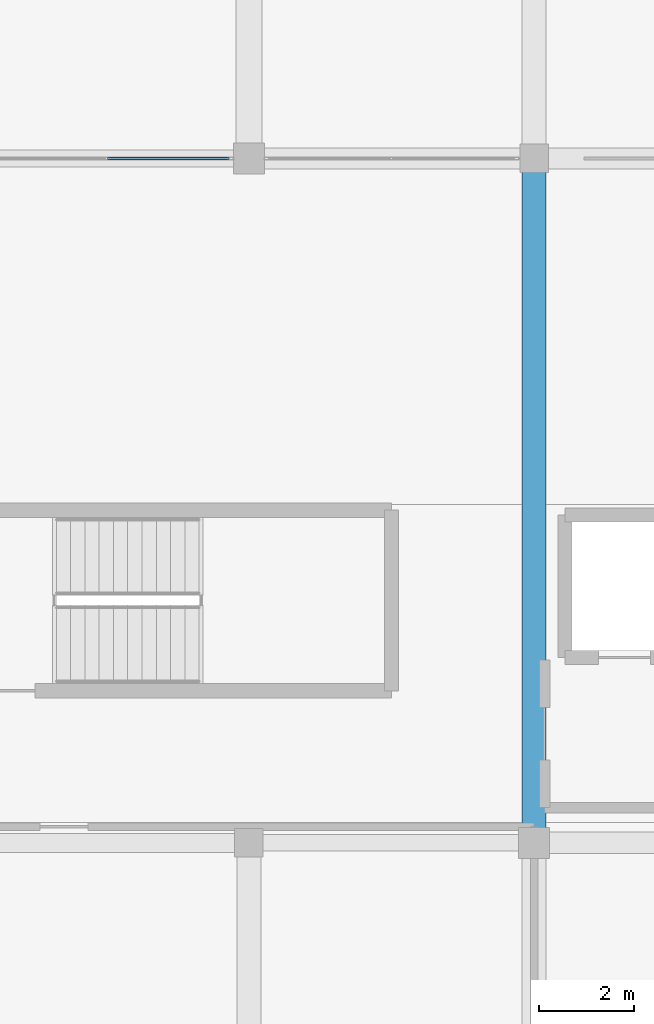
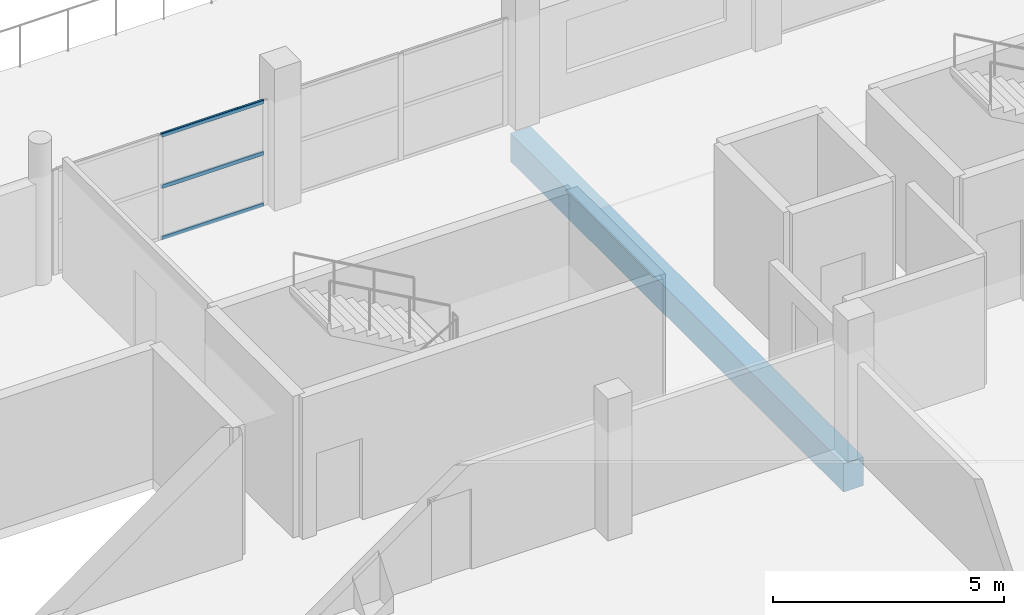
# One storey, part 3 of 19: 3 members, 1 beam, 1 element without a shape of its own.
"""IFC4 building model written with IfcOpenShell, lengths in metres."""

from ifc_helpers import new_model, si_unit, direction, frame, origin, origin_2d, place, context, subcontext, project, spatial, rectangle, hollow_rectangle, extrude, material, layer, layer_set, material_profile, profile_set, type_object, element, aggregate, save


model = new_model("IFC4")

# Units and contexts
model_context = context("Model", 3, precision=1e-05, world=origin(), true_north=direction((0.0, 1.0)))
body_context = subcontext(model_context, "Body", "Model", "MODEL_VIEW")
ifc_project = project(units=[si_unit("LENGTHUNIT", "METRE"), si_unit("AREAUNIT", "SQUARE_METRE"), si_unit("VOLUMEUNIT", "CUBIC_METRE"), si_unit("PLANEANGLEUNIT", "RADIAN"), si_unit("MASSUNIT", "GRAM", prefix="KILO")], contexts=[model_context])

# Site, building, storey
site_placement = place(None, origin())
site = spatial("IfcSite", under=ifc_project, at=site_placement, CompositionType="ELEMENT")
building_placement = place(site_placement, origin())
building = spatial("IfcBuilding", under=site, at=building_placement, Name="Dunvalen Ferry Terminal", CompositionType="ELEMENT")
storey_placement = place(building_placement, frame((0.0, 0.0, 13.580078125)))
storey = spatial("IfcBuildingStorey", under=building, at=storey_placement, Name="L03", CompositionType="ELEMENT", Elevation=13.580078125)

# Curtain wall, members
ifc_material_1 = material(Name="Anodised marine aluminium and solar-control glazing", Category="aluminium")
ifc_layer = layer(ifc_material_1, 0.14990234375, Name="Anodised marine aluminium and solar-control glazing")
ifc_layer_set = layer_set([ifc_layer], Name="Anodised marine aluminium and solar-control glazing")
curtain_wall_type = type_object("IfcCurtainWallType", Name="ENV-CW-SYS-11", PredefinedType="NOTDEFINED", material=ifc_layer_set)
curtain_wall_placement = place(storey_placement, origin())
curtain_wall = element("IfcCurtainWall", 1, at=curtain_wall_placement, inside=storey, type_object=curtain_wall_type, Name="L03 Curtain Wall CW-V5CORE-L03-7-5", PredefinedType="NOTDEFINED")
ifc_material_2 = material(Name="Anodised marine aluminium EN AW-6063 T6", Category="aluminium")
ifc_material_profile_1 = material_profile(ifc_material_2, hollow_rectangle(XDim=0.054931640625, YDim=0.10009765625, WallThickness=0.0029296875, InnerFilletRadius=0.0029296875, OuterFilletRadius=0.006103515625, at=origin_2d()), Name="Anodised marine aluminium EN AW-6063 T6")
ifc_profile_set_1 = profile_set([ifc_material_profile_1], Name="Anodised marine aluminium EN AW-6063 T6")
member_type = type_object("IfcMemberType", Name="ENV-CW-TRN-4", PredefinedType="USERDEFINED", material=ifc_profile_set_1)
member_1_placement = place(storey_placement, frame((29.5849609375, 28.800048828125, 0.02734375), z_axis=(-1.0, 0.0, 0.0), x_axis=(0.0, -1.0, 0.0)))
member_1 = element("IfcMember", 2, at=member_1_placement, type_object=member_type, Name="CW-11 transom 1.1", ObjectType="TRANSOM", PredefinedType="USERDEFINED", context=body_context, shape_type="SweptSolid", body=[
    extrude(hollow_rectangle(XDim=0.054931640625, YDim=0.10009765625, WallThickness=0.0029296875, InnerFilletRadius=0.0029296875, OuterFilletRadius=0.006103515625, at=origin_2d()), origin(), (0.0, 0.0, 1.0), 2.557373046875),
])
member_2_placement = place(storey_placement, frame((29.5849609375, 28.800048828125, 1.385009765625), z_axis=(-1.0, 0.0, 0.0), x_axis=(0.0, -1.0, 0.0)))
member_2 = element("IfcMember", 3, at=member_2_placement, type_object=member_type, Name="CW-11 transom 1.2", ObjectType="TRANSOM", PredefinedType="USERDEFINED", context=body_context, shape_type="SweptSolid", body=[
    extrude(hollow_rectangle(XDim=0.054931640625, YDim=0.10009765625, WallThickness=0.0029296875, InnerFilletRadius=0.0029296875, OuterFilletRadius=0.006103515625, at=origin_2d()), origin(), (0.0, 0.0, 1.0), 2.557373046875),
])
member_3_placement = place(storey_placement, frame((29.5849609375, 28.800048828125, 2.742431640625), z_axis=(-1.0, 0.0, 0.0), x_axis=(0.0, -1.0, 0.0)))
member_3 = element("IfcMember", 4, at=member_3_placement, type_object=member_type, Name="CW-11 transom 1.3", ObjectType="TRANSOM", PredefinedType="USERDEFINED", context=body_context, shape_type="SweptSolid", body=[
    extrude(hollow_rectangle(XDim=0.054931640625, YDim=0.10009765625, WallThickness=0.0029296875, InnerFilletRadius=0.0029296875, OuterFilletRadius=0.006103515625, at=origin_2d()), origin(), (0.0, 0.0, 1.0), 2.557373046875),
])
aggregate(curtain_wall, [member_1, member_2, member_3])

# Beam
ifc_material_3 = material(Name="Concrete C40/50", Category="concrete")
ifc_material_profile_2 = material_profile(ifc_material_3, rectangle(XDim=0.5, YDim=0.75, at=origin_2d()), Name="Concrete C40/50")
ifc_profile_set_2 = profile_set([ifc_material_profile_2], Name="Concrete C40/50")
beam_type = type_object("IfcBeamType", Name="STR-BM-RCB750", PredefinedType="BEAM", material=ifc_profile_set_2)
beam_placement = place(storey_placement, frame((36.0, 14.39990234375, -0.635009765625), z_axis=(0.0, 1.0, 0.0), x_axis=(-1.0, 0.0, 0.0)))
element("IfcBeam", 5, at=beam_placement, inside=storey, type_object=beam_type, Name="L03 V5P0 Primary Girder Y-041", PredefinedType="BEAM", context=body_context, shape_type="SweptSolid", body=[
    extrude(rectangle(XDim=0.5, YDim=0.75, at=origin_2d()), origin(), (0.0, 0.0, 1.0), 14.400146484375),
])

save(model, "model.ifc")
